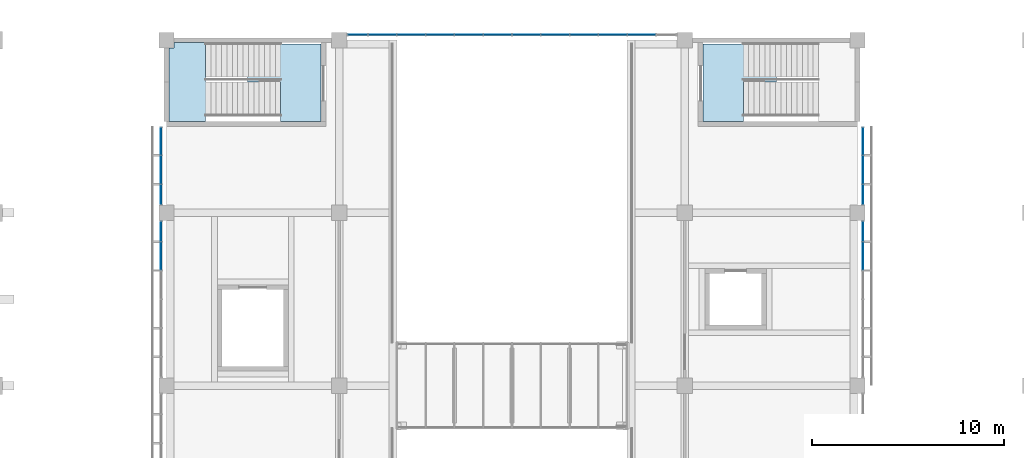
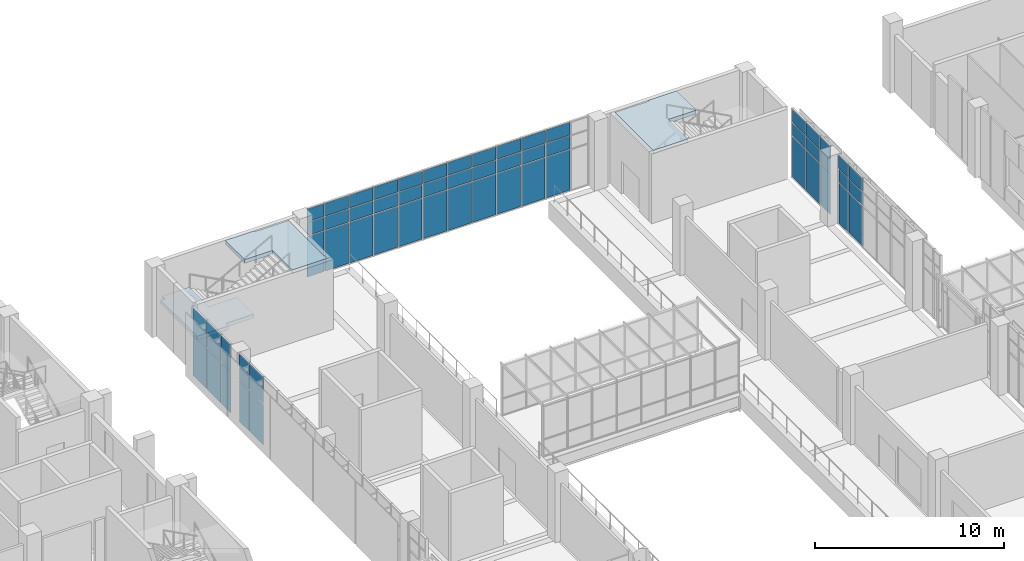
# One storey, part 49 of 88: 63 plates, 3 slabs, 7 elements without a shape of their own.
"""IFC4 building model written with IfcOpenShell, lengths in metres."""

import ifcopenshell
import ifcopenshell.guid

model = None  # the IFC model being written
_history = None  # IfcOwnerHistory: only IFC2X3 demands one
_inside = {}  # id of a spatial element -> (the spatial element, [elements in it])
_under = {}  # id of a project, library or spatial element -> (it, [spatial elements below it])
_declared = {}  # id of a project -> (the project, [libraries it declares])
_typed = {}  # id of a type object -> (the type object, [elements of that type])
_made_of = {}  # id of a material, layer set ... -> (it, [elements and type objects made of it])


def new_model(schema):
    """Start an empty IFC model of exactly this schema.

    Asked for "IFC4X3", IfcOpenShell would pick the latest addendum, in which some entities
    have other attributes; the version numbers below select the first issue.
    IFC2X3 requires an IfcOwnerHistory on every rooted entity: one is made here for all.
    """
    global model, _history
    if schema == "IFC4X3":
        model = ifcopenshell.file(schema_version=(4, 3, 0, 0))
    else:
        model = ifcopenshell.file(schema=schema)
    _inside.clear()
    _under.clear()
    _declared.clear()
    _typed.clear()
    _made_of.clear()
    _history = None
    if model.schema == "IFC2X3":
        org = make("IfcOrganization", Name="unknown")
        user = make(
            "IfcPersonAndOrganization",
            ThePerson=make("IfcPerson", FamilyName="unknown"),
            TheOrganization=org,
        )
        app = make(
            "IfcApplication",
            ApplicationDeveloper=org,
            Version="unknown",
            ApplicationFullName="unknown",
            ApplicationIdentifier="unknown",
        )
        _history = make(
            "IfcOwnerHistory",
            OwningUser=user,
            OwningApplication=app,
            ChangeAction="ADDED",
            CreationDate=0,
        )
    return model


def make(cls, **values):
    """One entity of the class cls with the attributes given. An attribute that is None is left unset."""
    return model.create_entity(
        cls, **{name: value for name, value in values.items() if value is not None}
    )


def rooted(cls, **values):
    """An entity with a GlobalId (a new one), such as an element, a storey or a relation."""
    return make(cls, GlobalId=ifcopenshell.guid.new(), OwnerHistory=_history, **values)


def si_unit(unit_type, name, prefix=None):
    """IfcSIUnit, for example si_unit("LENGTHUNIT", "METRE", prefix="MILLI")."""
    return make("IfcSIUnit", UnitType=unit_type, Prefix=prefix, Name=name)


def assignment(units):
    """IfcUnitAssignment: the units of a project."""
    return None if units is None else make("IfcUnitAssignment", Units=units)


def point(xyz):
    """IfcCartesianPoint."""
    return None if xyz is None else make("IfcCartesianPoint", Coordinates=xyz)


def direction(xyz):
    """IfcDirection."""
    return None if xyz is None else make("IfcDirection", DirectionRatios=xyz)


def frame(location, z_axis=None, x_axis=None):
    """IfcAxis2Placement3D, a coordinate frame: its origin and axes. An axis left out is left unset."""
    return make(
        "IfcAxis2Placement3D",
        Location=point(location),
        Axis=direction(z_axis),
        RefDirection=direction(x_axis),
    )


def frame_2d(location, x_axis=None):
    """IfcAxis2Placement2D, a coordinate frame in the plane: its origin and x axis."""
    return make(
        "IfcAxis2Placement2D", Location=point(location), RefDirection=direction(x_axis)
    )


def origin():
    """The frame at (0, 0, 0) with its axes left unset."""
    return frame((0.0, 0.0, 0.0))


def origin_2d():
    """The frame at (0, 0) in the plane with its x axis left unset."""
    return frame_2d((0.0, 0.0))


def place(relative_to, where):
    """IfcLocalPlacement: puts the frame where relative to a parent placement (None: the world)."""
    return make(
        "IfcLocalPlacement", PlacementRelTo=relative_to, RelativePlacement=where
    )


def context(
    kind, dimensions, precision=None, world=None, true_north=None, identifier=None
):
    """IfcGeometricRepresentationContext, for example the 3D "Model" context."""
    return make(
        "IfcGeometricRepresentationContext",
        ContextIdentifier=identifier,
        ContextType=kind,
        CoordinateSpaceDimension=dimensions,
        Precision=precision,
        WorldCoordinateSystem=world,
        TrueNorth=true_north,
    )


def subcontext(parent, identifier, kind, view, scale=None):
    """IfcGeometricRepresentationSubContext, for example "Body" below "Model"."""
    return make(
        "IfcGeometricRepresentationSubContext",
        ContextIdentifier=identifier,
        ContextType=kind,
        ParentContext=parent,
        TargetScale=scale,
        TargetView=view,
    )


def project(units=None, contexts=None):
    """IfcProject with its units and contexts."""
    return rooted(
        "IfcProject",
        Name="project",
        RepresentationContexts=contexts,
        UnitsInContext=assignment(units),
    )


def spatial(cls, under=None, at=None, **own):
    """A site, building, storey or space (cls), placed at a placement, below another one or the project."""
    s = rooted(cls, ObjectPlacement=at, **own)
    if under is not None:
        _under.setdefault(under.id(), (under, []))[1].append(s)
    return s


def polyline(points):
    """IfcPolyline through the points."""
    return make("IfcPolyline", Points=[point(p) for p in points])


def profile(cls, at=None, kind="AREA", **sizes):
    """A parametric profile (cls). Its sizes go by their IFC names, for example OverallWidth=200.0."""
    return make(cls, ProfileType=kind, Position=at, **sizes)


def rectangle(**sizes):
    """IfcRectangleProfileDef."""
    return profile("IfcRectangleProfileDef", **sizes)


def outline(outer, holes=None, kind="AREA"):
    """IfcArbitraryClosedProfileDef: a profile drawn as a closed curve; with holes, ...WithVoids."""
    if holes is None:
        return make("IfcArbitraryClosedProfileDef", ProfileType=kind, OuterCurve=outer)
    return make(
        "IfcArbitraryProfileDefWithVoids",
        ProfileType=kind,
        OuterCurve=outer,
        InnerCurves=holes,
    )


def extrude(swept, where, along, depth):
    """IfcExtrudedAreaSolid: the profile swept, set in the frame where, extruded along a direction by depth."""
    return make(
        "IfcExtrudedAreaSolid",
        SweptArea=swept,
        Position=where,
        ExtrudedDirection=direction(along),
        Depth=depth,
    )


def shape(context_of_items, identifier, shape_type, items):
    """IfcShapeRepresentation: the items that make up one representation, for example the "Body"."""
    return make(
        "IfcShapeRepresentation",
        ContextOfItems=context_of_items,
        RepresentationIdentifier=identifier,
        RepresentationType=shape_type,
        Items=items,
    )


def material(Name=None, Category=None):
    """IfcMaterial."""
    return make("IfcMaterial", Name=Name, Category=Category)


def layer(
    of_material, thickness, ventilated=None, Name=None, Category=None, Priority=None
):
    """IfcMaterialLayer: one layer of a wall or slab, of a material (None: an air gap)."""
    return make(
        "IfcMaterialLayer",
        Material=of_material,
        LayerThickness=thickness,
        IsVentilated=ventilated,
        Name=Name,
        Category=Category,
        Priority=Priority,
    )


def layer_set(layers, Name=None):
    """IfcMaterialLayerSet."""
    return make("IfcMaterialLayerSet", MaterialLayers=layers, LayerSetName=Name)


def made_of(thing, what):
    """Note that an element or type object is made of a material, layer set ...; save() writes the relation."""
    if what is not None:
        _made_of.setdefault(what.id(), (what, []))[1].append(thing)
    return thing


def type_object(cls, material=None, **own):
    """A type object (cls), such as IfcWallType, which elements share."""
    return made_of(rooted(cls, **own), material)


def element(
    cls,
    number,
    at=None,
    inside=None,
    cuts=None,
    type_object=None,
    material=None,
    context=None,
    identifier="Body",
    shape_type=None,
    held_by="IfcProductDefinitionShape",
    body=None,
    shapes=None,
    **own,
):
    """One element of the class cls, such as IfcWall. Its Tag is "e" and its number.

    at: its placement. inside: the storey or other place that contains it. cuts: it is an
    opening in that element (IfcRelVoidsElement). A single representation is given by context,
    identifier, shape_type and body (its items); several are given by shapes. held_by: the class
    of the entity that holds the representations. save() writes the other relations.
    """
    e = rooted(cls, Tag="e%d" % number, ObjectPlacement=at, **own)
    if body is not None:
        shapes = [shape(context, identifier, shape_type, body)]
    if shapes is not None:
        e.Representation = make(held_by, Representations=shapes)
    if inside is not None:
        _inside.setdefault(inside.id(), (inside, []))[1].append(e)
    if cuts is not None:
        rooted(
            "IfcRelVoidsElement", RelatingBuildingElement=cuts, RelatedOpeningElement=e
        )
    if type_object is not None:
        _typed.setdefault(type_object.id(), (type_object, []))[1].append(e)
    return made_of(e, material)


def aggregate(whole, parts):
    """IfcRelAggregates: a whole, such as a stair, and the parts it consists of."""
    return rooted("IfcRelAggregates", RelatingObject=whole, RelatedObjects=parts)


def save(model, path):
    """Write the relations noted so far, then the file.

    IfcRelAggregates (storeys below a building ...), IfcRelContainedInSpatialStructure (elements
    in a storey), IfcRelDefinesByType, IfcRelAssociatesMaterial and IfcRelDeclares: one each for
    every whole, place, type object, material and project.
    """
    for whole, parts in _under.values():
        aggregate(whole, parts)
    for where, things in _inside.values():
        rooted(
            "IfcRelContainedInSpatialStructure",
            RelatedElements=things,
            RelatingStructure=where,
        )
    for kind, things in _typed.values():
        rooted("IfcRelDefinesByType", RelatedObjects=things, RelatingType=kind)
    for what, things in _made_of.values():
        rooted("IfcRelAssociatesMaterial", RelatedObjects=things, RelatingMaterial=what)
    for by, libraries in _declared.values():
        rooted("IfcRelDeclares", RelatingContext=by, RelatedDefinitions=libraries)
    model.write(path)


model = new_model("IFC4")

# Units and contexts
model_context = context("Model", 3, precision=1e-05, world=origin(), true_north=direction((0.0, 1.0)))
body_context = subcontext(model_context, "Body", "Model", "MODEL_VIEW")
ifc_project = project(units=[si_unit("LENGTHUNIT", "METRE"), si_unit("AREAUNIT", "SQUARE_METRE"), si_unit("VOLUMEUNIT", "CUBIC_METRE"), si_unit("PLANEANGLEUNIT", "RADIAN"), si_unit("MASSUNIT", "GRAM", prefix="KILO")], contexts=[model_context])

# Site, building, storey
site_placement = place(None, origin())
site = spatial("IfcSite", under=ifc_project, at=site_placement, CompositionType="ELEMENT")
building_placement = place(site_placement, origin())
building = spatial("IfcBuilding", under=site, at=building_placement, Name="Guidao Yard Department Store", CompositionType="ELEMENT")
storey_placement = place(building_placement, frame((0.0, 0.0, 6.0)))
storey = spatial("IfcBuildingStorey", under=building, at=storey_placement, Name="L01", CompositionType="ELEMENT", Elevation=6.0)

# Curtain wall, plates
ifc_material_1 = material(Name="Aluminium and glass", Category="aluminium")
ifc_layer_1 = layer(ifc_material_1, 0.159912109375)
ifc_layer_set_1 = layer_set([ifc_layer_1], Name="Shopfront curtain wall CW1 1500 module")
curtain_wall_type = type_object("IfcCurtainWallType", Name="Shopfront curtain wall CW1 1500 module", PredefinedType="NOTDEFINED", material=ifc_layer_set_1)
curtain_wall_1_placement = place(storey_placement, origin())
curtain_wall_1 = element("IfcCurtainWall", 1, at=curtain_wall_1_placement, inside=storey, type_object=curtain_wall_type, Name="Arcade shop front", PredefinedType="NOTDEFINED")
ifc_material_2 = material(Name="Aluminium 6063-T5 faced insulated spandrel", Category="aluminium")
ifc_layer_2 = layer(ifc_material_2, 0.06005859375)
ifc_layer_set_2 = layer_set([ifc_layer_2], Name="Spandrel panel SP1 insulated opaque")
plate_type_1 = type_object("IfcPlateType", Name="Spandrel panel SP1 insulated opaque", PredefinedType="CURTAIN_PANEL", material=ifc_layer_set_2)
plate_1_placement = place(storey_placement, frame((71.719970703125, 96.75, 3.6298828125), z_axis=(0.0, 0.0, 1.0), x_axis=(0.0, 1.0, 0.0)))
plate_1 = element("IfcPlate", 2, at=plate_1_placement, type_object=plate_type_1, Name="CW-AS-L01-10 panel 5.3", PredefinedType="CURTAIN_PANEL", context=body_context, shape_type="SweptSolid", body=[
    extrude(rectangle(XDim=1.43994140625, YDim=0.06005859375, at=origin_2d()), origin(), (0.0, 0.0, 1.0), 0.81005859375),
])
plate_2_placement = place(storey_placement, frame((71.719970703125, 98.034912109375, 3.6298828125), z_axis=(0.0, 0.0, 1.0), x_axis=(0.0, 1.0, 0.0)))
plate_2 = element("IfcPlate", 3, at=plate_2_placement, type_object=plate_type_1, Name="CW-AS-L01-10 panel 6.3", PredefinedType="CURTAIN_PANEL", context=body_context, shape_type="SweptSolid", body=[
    extrude(rectangle(XDim=1.010009765625, YDim=0.06005859375, at=origin_2d()), origin(), (0.0, 0.0, 1.0), 0.81005859375),
])

curtain_wall_2_placement = place(storey_placement, origin())
curtain_wall_2 = element("IfcCurtainWall", 4, at=curtain_wall_2_placement, inside=storey, type_object=curtain_wall_type, Name="Arcade shop front", PredefinedType="NOTDEFINED")
plate_3_placement = place(storey_placement, frame((71.719970703125, 99.965087890625, 3.6298828125), z_axis=(0.0, 0.0, 1.0), x_axis=(0.0, 1.0, 0.0)))
plate_3 = element("IfcPlate", 5, at=plate_3_placement, type_object=plate_type_1, Name="CW-AS-L01-11 panel 1.3", PredefinedType="CURTAIN_PANEL", context=body_context, shape_type="SweptSolid", body=[
    extrude(rectangle(XDim=1.010009765625, YDim=0.06005859375, at=origin_2d()), origin(), (0.0, 0.0, 1.0), 0.81005859375),
])
plate_4_placement = place(storey_placement, frame((71.719970703125, 101.25, 3.6298828125), z_axis=(0.0, 0.0, 1.0), x_axis=(0.0, 1.0, 0.0)))
plate_4 = element("IfcPlate", 6, at=plate_4_placement, type_object=plate_type_1, Name="CW-AS-L01-11 panel 2.3", PredefinedType="CURTAIN_PANEL", context=body_context, shape_type="SweptSolid", body=[
    extrude(rectangle(XDim=1.43994140625, YDim=0.06005859375, at=origin_2d()), origin(), (0.0, 0.0, 1.0), 0.81005859375),
])
plate_5_placement = place(storey_placement, frame((71.719970703125, 102.735107421875, 3.6298828125), z_axis=(0.0, 0.0, 1.0), x_axis=(0.0, 1.0, 0.0)))
plate_5 = element("IfcPlate", 7, at=plate_5_placement, type_object=plate_type_1, Name="CW-AS-L01-11 panel 3.3", PredefinedType="CURTAIN_PANEL", context=body_context, shape_type="SweptSolid", body=[
    extrude(rectangle(XDim=1.409912109375, YDim=0.06005859375, at=origin_2d()), origin(), (0.0, 0.0, 1.0), 0.81005859375),
])

curtain_wall_3_placement = place(storey_placement, origin())
curtain_wall_3 = element("IfcCurtainWall", 8, at=curtain_wall_3_placement, inside=storey, type_object=curtain_wall_type, Name="Arcade shop front", PredefinedType="NOTDEFINED")
plate_6_placement = place(storey_placement, frame((108.280029296875, 96.75, 3.6298828125), z_axis=(0.0, 0.0, 1.0), x_axis=(0.0, -1.0, 0.0)))
plate_6 = element("IfcPlate", 9, at=plate_6_placement, type_object=plate_type_1, Name="CW-AS-L01-21 panel 5.3", PredefinedType="CURTAIN_PANEL", context=body_context, shape_type="SweptSolid", body=[
    extrude(rectangle(XDim=1.43994140625, YDim=0.06005859375, at=origin_2d()), origin(), (0.0, 0.0, 1.0), 0.81005859375),
])
plate_7_placement = place(storey_placement, frame((108.280029296875, 98.034912109375, 3.6298828125), z_axis=(0.0, 0.0, 1.0), x_axis=(0.0, -1.0, 0.0)))
plate_7 = element("IfcPlate", 10, at=plate_7_placement, type_object=plate_type_1, Name="CW-AS-L01-21 panel 6.3", PredefinedType="CURTAIN_PANEL", context=body_context, shape_type="SweptSolid", body=[
    extrude(rectangle(XDim=1.010009765625, YDim=0.06005859375, at=origin_2d()), origin(), (0.0, 0.0, 1.0), 0.81005859375),
])

curtain_wall_4_placement = place(storey_placement, origin())
curtain_wall_4 = element("IfcCurtainWall", 11, at=curtain_wall_4_placement, inside=storey, type_object=curtain_wall_type, Name="Arcade shop front", PredefinedType="NOTDEFINED")
plate_8_placement = place(storey_placement, frame((108.280029296875, 99.965087890625, 3.6298828125), z_axis=(0.0, 0.0, 1.0), x_axis=(0.0, -1.0, 0.0)))
plate_8 = element("IfcPlate", 12, at=plate_8_placement, type_object=plate_type_1, Name="CW-AS-L01-22 panel 1.3", PredefinedType="CURTAIN_PANEL", context=body_context, shape_type="SweptSolid", body=[
    extrude(rectangle(XDim=1.010009765625, YDim=0.06005859375, at=origin_2d()), origin(), (0.0, 0.0, 1.0), 0.81005859375),
])
plate_9_placement = place(storey_placement, frame((108.280029296875, 101.25, 3.6298828125), z_axis=(0.0, 0.0, 1.0), x_axis=(0.0, -1.0, 0.0)))
plate_9 = element("IfcPlate", 13, at=plate_9_placement, type_object=plate_type_1, Name="CW-AS-L01-22 panel 2.3", PredefinedType="CURTAIN_PANEL", context=body_context, shape_type="SweptSolid", body=[
    extrude(rectangle(XDim=1.43994140625, YDim=0.06005859375, at=origin_2d()), origin(), (0.0, 0.0, 1.0), 0.81005859375),
])
plate_10_placement = place(storey_placement, frame((108.280029296875, 102.735107421875, 3.6298828125), z_axis=(0.0, 0.0, 1.0), x_axis=(0.0, -1.0, 0.0)))
plate_10 = element("IfcPlate", 14, at=plate_10_placement, type_object=plate_type_1, Name="CW-AS-L01-22 panel 3.3", PredefinedType="CURTAIN_PANEL", context=body_context, shape_type="SweptSolid", body=[
    extrude(rectangle(XDim=1.409912109375, YDim=0.06005859375, at=origin_2d()), origin(), (0.0, 0.0, 1.0), 0.81005859375),
])

curtain_wall_5_placement = place(storey_placement, origin())
curtain_wall_5 = element("IfcCurtainWall", 15, at=curtain_wall_5_placement, inside=storey, type_object=curtain_wall_type, Name="Arcade gable glazing", PredefinedType="NOTDEFINED")
plate_11_placement = place(storey_placement, frame((81.965087890625, 108.280029296875, 3.6298828125), z_axis=(0.0, 0.0, 1.0), x_axis=(1.0, 0.0, 0.0)))
plate_11 = element("IfcPlate", 16, at=plate_11_placement, type_object=plate_type_1, Name="CW-AG-L01-01 panel 1.3", PredefinedType="CURTAIN_PANEL", context=body_context, shape_type="SweptSolid", body=[
    extrude(rectangle(XDim=1.010009765625, YDim=0.06005859375, at=origin_2d()), origin(), (0.0, 0.0, 1.0), 0.81005859375),
])
plate_12_placement = place(storey_placement, frame((83.25, 108.280029296875, 3.6298828125), z_axis=(0.0, 0.0, 1.0), x_axis=(1.0, 0.0, 0.0)))
plate_12 = element("IfcPlate", 17, at=plate_12_placement, type_object=plate_type_1, Name="CW-AG-L01-01 panel 2.3", PredefinedType="CURTAIN_PANEL", context=body_context, shape_type="SweptSolid", body=[
    extrude(rectangle(XDim=1.43994140625, YDim=0.06005859375, at=origin_2d()), origin(), (0.0, 0.0, 1.0), 0.81005859375),
])
plate_13_placement = place(storey_placement, frame((84.75, 108.280029296875, 3.6298828125), z_axis=(0.0, 0.0, 1.0), x_axis=(1.0, 0.0, 0.0)))
plate_13 = element("IfcPlate", 18, at=plate_13_placement, type_object=plate_type_1, Name="CW-AG-L01-01 panel 3.3", PredefinedType="CURTAIN_PANEL", context=body_context, shape_type="SweptSolid", body=[
    extrude(rectangle(XDim=1.43994140625, YDim=0.06005859375, at=origin_2d()), origin(), (0.0, 0.0, 1.0), 0.81005859375),
])
plate_14_placement = place(storey_placement, frame((86.25, 108.280029296875, 3.6298828125), z_axis=(0.0, 0.0, 1.0), x_axis=(1.0, 0.0, 0.0)))
plate_14 = element("IfcPlate", 19, at=plate_14_placement, type_object=plate_type_1, Name="CW-AG-L01-01 panel 4.3", PredefinedType="CURTAIN_PANEL", context=body_context, shape_type="SweptSolid", body=[
    extrude(rectangle(XDim=1.43994140625, YDim=0.06005859375, at=origin_2d()), origin(), (0.0, 0.0, 1.0), 0.81005859375),
])
plate_15_placement = place(storey_placement, frame((87.75, 108.280029296875, 3.6298828125), z_axis=(0.0, 0.0, 1.0), x_axis=(1.0, 0.0, 0.0)))
plate_15 = element("IfcPlate", 20, at=plate_15_placement, type_object=plate_type_1, Name="CW-AG-L01-01 panel 5.3", PredefinedType="CURTAIN_PANEL", context=body_context, shape_type="SweptSolid", body=[
    extrude(rectangle(XDim=1.43994140625, YDim=0.06005859375, at=origin_2d()), origin(), (0.0, 0.0, 1.0), 0.81005859375),
])
plate_16_placement = place(storey_placement, frame((89.25, 108.280029296875, 3.6298828125), z_axis=(0.0, 0.0, 1.0), x_axis=(1.0, 0.0, 0.0)))
plate_16 = element("IfcPlate", 21, at=plate_16_placement, type_object=plate_type_1, Name="CW-AG-L01-01 panel 6.3", PredefinedType="CURTAIN_PANEL", context=body_context, shape_type="SweptSolid", body=[
    extrude(rectangle(XDim=1.43994140625, YDim=0.06005859375, at=origin_2d()), origin(), (0.0, 0.0, 1.0), 0.81005859375),
])
plate_17_placement = place(storey_placement, frame((90.75, 108.280029296875, 3.6298828125), z_axis=(0.0, 0.0, 1.0), x_axis=(1.0, 0.0, 0.0)))
plate_17 = element("IfcPlate", 22, at=plate_17_placement, type_object=plate_type_1, Name="CW-AG-L01-01 panel 7.3", PredefinedType="CURTAIN_PANEL", context=body_context, shape_type="SweptSolid", body=[
    extrude(rectangle(XDim=1.43994140625, YDim=0.06005859375, at=origin_2d()), origin(), (0.0, 0.0, 1.0), 0.81005859375),
])
plate_18_placement = place(storey_placement, frame((92.25, 108.280029296875, 3.6298828125), z_axis=(0.0, 0.0, 1.0), x_axis=(1.0, 0.0, 0.0)))
plate_18 = element("IfcPlate", 23, at=plate_18_placement, type_object=plate_type_1, Name="CW-AG-L01-01 panel 8.3", PredefinedType="CURTAIN_PANEL", context=body_context, shape_type="SweptSolid", body=[
    extrude(rectangle(XDim=1.43994140625, YDim=0.06005859375, at=origin_2d()), origin(), (0.0, 0.0, 1.0), 0.81005859375),
])
plate_19_placement = place(storey_placement, frame((93.75, 108.280029296875, 3.6298828125), z_axis=(0.0, 0.0, 1.0), x_axis=(1.0, 0.0, 0.0)))
plate_19 = element("IfcPlate", 24, at=plate_19_placement, type_object=plate_type_1, Name="CW-AG-L01-01 panel 9.3", PredefinedType="CURTAIN_PANEL", context=body_context, shape_type="SweptSolid", body=[
    extrude(rectangle(XDim=1.43994140625, YDim=0.06005859375, at=origin_2d()), origin(), (0.0, 0.0, 1.0), 0.81005859375),
])
plate_20_placement = place(storey_placement, frame((95.25, 108.280029296875, 3.6298828125), z_axis=(0.0, 0.0, 1.0), x_axis=(1.0, 0.0, 0.0)))
plate_20 = element("IfcPlate", 25, at=plate_20_placement, type_object=plate_type_1, Name="CW-AG-L01-01 panel 10.3", PredefinedType="CURTAIN_PANEL", context=body_context, shape_type="SweptSolid", body=[
    extrude(rectangle(XDim=1.43994140625, YDim=0.06005859375, at=origin_2d()), origin(), (0.0, 0.0, 1.0), 0.81005859375),
])
plate_21_placement = place(storey_placement, frame((96.75, 108.280029296875, 3.6298828125), z_axis=(0.0, 0.0, 1.0), x_axis=(1.0, 0.0, 0.0)))
plate_21 = element("IfcPlate", 26, at=plate_21_placement, type_object=plate_type_1, Name="CW-AG-L01-01 panel 11.3", PredefinedType="CURTAIN_PANEL", context=body_context, shape_type="SweptSolid", body=[
    extrude(rectangle(XDim=1.43994140625, YDim=0.06005859375, at=origin_2d()), origin(), (0.0, 0.0, 1.0), 0.81005859375),
])

# Stair, slabs
ifc_material_3 = material(Name="Concrete C35", Category="concrete")
stair_type = type_object("IfcStairType", Name="Stair half-turn two-flight 1800 wide 4.5 m rise", PredefinedType="HALF_TURN_STAIR", material=ifc_material_3)
stair_1_placement = place(storey_placement, origin())
stair_1 = element("IfcStair", 27, at=stair_1_placement, inside=storey, type_object=stair_type, Name="Stair G2 L01 to L02", PredefinedType="HALF_TURN_STAIR")
ifc_material_4 = material(Name="Concrete C35", Category="concrete")
ifc_layer_3 = layer(ifc_material_4, 0.25)
ifc_layer_set_3 = layer_set([ifc_layer_3], Name="Stair landing RC 250 C35")
slab_type = type_object("IfcSlabType", Name="Stair landing RC 250 C35", PredefinedType="LANDING", material=ifc_layer_set_3)
slab_1_placement = place(storey_placement, frame((0.0, 0.0, 2.0)))
slab_1 = element("IfcSlab", 28, at=slab_1_placement, type_object=slab_type, Name="SG2-L01 landing 1", PredefinedType="LANDING", context=body_context, shape_type="SweptSolid", body=[
    extrude(outline(polyline([(75.748046875, 104.02490234375), (74.030029296875, 104.02490234375), (74.030029296875, 103.75), (72.125, 103.75), (72.125, 107.60009765625), (72.39990234375, 107.60009765625), (72.39990234375, 107.875), (74.030029296875, 107.875), (74.0400390625, 107.875), (74.0400390625, 105.824951171875), (75.748046875, 105.824951171875), (75.748046875, 104.02490234375)])), origin(), (0.0, 0.0, 1.0), 0.25),
])
slab_2_placement = place(storey_placement, frame((0.0, 0.0, 4.25)))
slab_2 = element("IfcSlab", 29, at=slab_2_placement, type_object=slab_type, Name="SG2-L01 landing 2", PredefinedType="LANDING", context=body_context, shape_type="SweptSolid", body=[
    extrude(outline(polyline([(77.93994140625, 103.75), (77.93994140625, 105.824951171875), (76.23193359375, 105.824951171875), (76.23193359375, 107.875), (77.949951171875, 107.875), (77.949951171875, 107.800048828125), (80.050048828125, 107.800048828125), (80.050048828125, 105.824951171875), (80.050048828125, 103.75), (77.93994140625, 103.75)])), origin(), (0.0, 0.0, 1.0), 0.25),
])
aggregate(stair_1, [slab_1, slab_2])

# Stair, slab
stair_2_placement = place(storey_placement, origin())
stair_2 = element("IfcStair", 30, at=stair_2_placement, inside=storey, type_object=stair_type, Name="Stair G4 L01 to L02", PredefinedType="HALF_TURN_STAIR")
slab_3_placement = place(storey_placement, frame((0.0, 0.0, 4.25)))
slab_3 = element("IfcSlab", 31, at=slab_3_placement, type_object=slab_type, Name="SG4-L01 landing 2", PredefinedType="LANDING", context=body_context, shape_type="SweptSolid", body=[
    extrude(outline(polyline([(99.949951171875, 103.75), (99.949951171875, 105.824951171875), (99.949951171875, 107.800048828125), (102.050048828125, 107.800048828125), (102.050048828125, 107.875), (103.76806640625, 107.875), (103.76806640625, 105.824951171875), (102.06005859375, 105.824951171875), (102.06005859375, 103.75), (99.949951171875, 103.75)])), origin(), (0.0, 0.0, 1.0), 0.25),
])
aggregate(stair_2, [slab_3])

# Plate
ifc_material_5 = material(Name="Laminated heat-soaked tempered glass", Category="glass")
ifc_layer_4 = layer(ifc_material_5, 0.017578125)
ifc_layer_set_4 = layer_set([ifc_layer_4], Name="Vision glass VG1 laminated heat-soaked tempered 8+8")
plate_type_2 = type_object("IfcPlateType", Name="Vision glass VG1 laminated heat-soaked tempered 8+8", PredefinedType="CURTAIN_PANEL", material=ifc_layer_set_4)
plate_22_placement = place(storey_placement, frame((71.719970703125, 96.75, 0.06005859375), z_axis=(0.0, 0.0, 1.0), x_axis=(0.0, 1.0, 0.0)))
plate_22 = element("IfcPlate", 32, at=plate_22_placement, type_object=plate_type_2, Name="CW-AS-L01-10 panel 5.1", PredefinedType="CURTAIN_PANEL", context=body_context, shape_type="SweptSolid", body=[
    extrude(rectangle(XDim=1.43994140625, YDim=0.017578125, at=origin_2d()), origin(), (0.0, 0.0, 1.0), 2.610107421875),
])

plate_23_placement = place(storey_placement, frame((71.719970703125, 96.75, 2.72998046875), z_axis=(0.0, 0.0, 1.0), x_axis=(0.0, 1.0, 0.0)))
plate_23 = element("IfcPlate", 33, at=plate_23_placement, type_object=plate_type_2, Name="CW-AS-L01-10 panel 5.2", PredefinedType="CURTAIN_PANEL", context=body_context, shape_type="SweptSolid", body=[
    extrude(rectangle(XDim=1.43994140625, YDim=0.017578125, at=origin_2d()), origin(), (0.0, 0.0, 1.0), 0.840087890625),
])

plate_24_placement = place(storey_placement, frame((71.719970703125, 98.034912109375, 0.06005859375), z_axis=(0.0, 0.0, 1.0), x_axis=(0.0, 1.0, 0.0)))
plate_24 = element("IfcPlate", 34, at=plate_24_placement, type_object=plate_type_2, Name="CW-AS-L01-10 panel 6.1", PredefinedType="CURTAIN_PANEL", context=body_context, shape_type="SweptSolid", body=[
    extrude(rectangle(XDim=1.010009765625, YDim=0.017578125, at=origin_2d()), origin(), (0.0, 0.0, 1.0), 2.610107421875),
])

plate_25_placement = place(storey_placement, frame((71.719970703125, 98.034912109375, 2.72998046875), z_axis=(0.0, 0.0, 1.0), x_axis=(0.0, 1.0, 0.0)))
plate_25 = element("IfcPlate", 35, at=plate_25_placement, type_object=plate_type_2, Name="CW-AS-L01-10 panel 6.2", PredefinedType="CURTAIN_PANEL", context=body_context, shape_type="SweptSolid", body=[
    extrude(rectangle(XDim=1.010009765625, YDim=0.017578125, at=origin_2d()), origin(), (0.0, 0.0, 1.0), 0.840087890625),
])

aggregate(curtain_wall_1, [plate_22, plate_23, plate_1, plate_24, plate_25, plate_2])

plate_26_placement = place(storey_placement, frame((71.719970703125, 99.965087890625, 0.06005859375), z_axis=(0.0, 0.0, 1.0), x_axis=(0.0, 1.0, 0.0)))
plate_26 = element("IfcPlate", 36, at=plate_26_placement, type_object=plate_type_2, Name="CW-AS-L01-11 panel 1.1", PredefinedType="CURTAIN_PANEL", context=body_context, shape_type="SweptSolid", body=[
    extrude(rectangle(XDim=1.010009765625, YDim=0.017578125, at=origin_2d()), origin(), (0.0, 0.0, 1.0), 2.610107421875),
])

plate_27_placement = place(storey_placement, frame((71.719970703125, 99.965087890625, 2.72998046875), z_axis=(0.0, 0.0, 1.0), x_axis=(0.0, 1.0, 0.0)))
plate_27 = element("IfcPlate", 37, at=plate_27_placement, type_object=plate_type_2, Name="CW-AS-L01-11 panel 1.2", PredefinedType="CURTAIN_PANEL", context=body_context, shape_type="SweptSolid", body=[
    extrude(rectangle(XDim=1.010009765625, YDim=0.017578125, at=origin_2d()), origin(), (0.0, 0.0, 1.0), 0.840087890625),
])

plate_28_placement = place(storey_placement, frame((71.719970703125, 101.25, 0.06005859375), z_axis=(0.0, 0.0, 1.0), x_axis=(0.0, 1.0, 0.0)))
plate_28 = element("IfcPlate", 38, at=plate_28_placement, type_object=plate_type_2, Name="CW-AS-L01-11 panel 2.1", PredefinedType="CURTAIN_PANEL", context=body_context, shape_type="SweptSolid", body=[
    extrude(rectangle(XDim=1.43994140625, YDim=0.017578125, at=origin_2d()), origin(), (0.0, 0.0, 1.0), 2.610107421875),
])

plate_29_placement = place(storey_placement, frame((71.719970703125, 101.25, 2.72998046875), z_axis=(0.0, 0.0, 1.0), x_axis=(0.0, 1.0, 0.0)))
plate_29 = element("IfcPlate", 39, at=plate_29_placement, type_object=plate_type_2, Name="CW-AS-L01-11 panel 2.2", PredefinedType="CURTAIN_PANEL", context=body_context, shape_type="SweptSolid", body=[
    extrude(rectangle(XDim=1.43994140625, YDim=0.017578125, at=origin_2d()), origin(), (0.0, 0.0, 1.0), 0.840087890625),
])

plate_30_placement = place(storey_placement, frame((71.719970703125, 102.735107421875, 0.06005859375), z_axis=(0.0, 0.0, 1.0), x_axis=(0.0, 1.0, 0.0)))
plate_30 = element("IfcPlate", 40, at=plate_30_placement, type_object=plate_type_2, Name="CW-AS-L01-11 panel 3.1", PredefinedType="CURTAIN_PANEL", context=body_context, shape_type="SweptSolid", body=[
    extrude(rectangle(XDim=1.409912109375, YDim=0.017578125, at=origin_2d()), origin(), (0.0, 0.0, 1.0), 2.610107421875),
])

plate_31_placement = place(storey_placement, frame((71.719970703125, 102.735107421875, 2.72998046875), z_axis=(0.0, 0.0, 1.0), x_axis=(0.0, 1.0, 0.0)))
plate_31 = element("IfcPlate", 41, at=plate_31_placement, type_object=plate_type_2, Name="CW-AS-L01-11 panel 3.2", PredefinedType="CURTAIN_PANEL", context=body_context, shape_type="SweptSolid", body=[
    extrude(rectangle(XDim=1.409912109375, YDim=0.017578125, at=origin_2d()), origin(), (0.0, 0.0, 1.0), 0.840087890625),
])

aggregate(curtain_wall_2, [plate_26, plate_27, plate_3, plate_28, plate_29, plate_4, plate_30, plate_31, plate_5])

plate_32_placement = place(storey_placement, frame((108.280029296875, 96.75, 0.06005859375), z_axis=(0.0, 0.0, 1.0), x_axis=(0.0, -1.0, 0.0)))
plate_32 = element("IfcPlate", 42, at=plate_32_placement, type_object=plate_type_2, Name="CW-AS-L01-21 panel 5.1", PredefinedType="CURTAIN_PANEL", context=body_context, shape_type="SweptSolid", body=[
    extrude(rectangle(XDim=1.43994140625, YDim=0.017578125, at=origin_2d()), origin(), (0.0, 0.0, 1.0), 2.610107421875),
])

plate_33_placement = place(storey_placement, frame((108.280029296875, 96.75, 2.72998046875), z_axis=(0.0, 0.0, 1.0), x_axis=(0.0, -1.0, 0.0)))
plate_33 = element("IfcPlate", 43, at=plate_33_placement, type_object=plate_type_2, Name="CW-AS-L01-21 panel 5.2", PredefinedType="CURTAIN_PANEL", context=body_context, shape_type="SweptSolid", body=[
    extrude(rectangle(XDim=1.43994140625, YDim=0.017578125, at=origin_2d()), origin(), (0.0, 0.0, 1.0), 0.840087890625),
])

plate_34_placement = place(storey_placement, frame((108.280029296875, 98.034912109375, 0.06005859375), z_axis=(0.0, 0.0, 1.0), x_axis=(0.0, -1.0, 0.0)))
plate_34 = element("IfcPlate", 44, at=plate_34_placement, type_object=plate_type_2, Name="CW-AS-L01-21 panel 6.1", PredefinedType="CURTAIN_PANEL", context=body_context, shape_type="SweptSolid", body=[
    extrude(rectangle(XDim=1.010009765625, YDim=0.017578125, at=origin_2d()), origin(), (0.0, 0.0, 1.0), 2.610107421875),
])

plate_35_placement = place(storey_placement, frame((108.280029296875, 98.034912109375, 2.72998046875), z_axis=(0.0, 0.0, 1.0), x_axis=(0.0, -1.0, 0.0)))
plate_35 = element("IfcPlate", 45, at=plate_35_placement, type_object=plate_type_2, Name="CW-AS-L01-21 panel 6.2", PredefinedType="CURTAIN_PANEL", context=body_context, shape_type="SweptSolid", body=[
    extrude(rectangle(XDim=1.010009765625, YDim=0.017578125, at=origin_2d()), origin(), (0.0, 0.0, 1.0), 0.840087890625),
])

aggregate(curtain_wall_3, [plate_32, plate_33, plate_6, plate_34, plate_35, plate_7])

plate_36_placement = place(storey_placement, frame((108.280029296875, 99.965087890625, 0.06005859375), z_axis=(0.0, 0.0, 1.0), x_axis=(0.0, -1.0, 0.0)))
plate_36 = element("IfcPlate", 46, at=plate_36_placement, type_object=plate_type_2, Name="CW-AS-L01-22 panel 1.1", PredefinedType="CURTAIN_PANEL", context=body_context, shape_type="SweptSolid", body=[
    extrude(rectangle(XDim=1.010009765625, YDim=0.017578125, at=origin_2d()), origin(), (0.0, 0.0, 1.0), 2.610107421875),
])

plate_37_placement = place(storey_placement, frame((108.280029296875, 99.965087890625, 2.72998046875), z_axis=(0.0, 0.0, 1.0), x_axis=(0.0, -1.0, 0.0)))
plate_37 = element("IfcPlate", 47, at=plate_37_placement, type_object=plate_type_2, Name="CW-AS-L01-22 panel 1.2", PredefinedType="CURTAIN_PANEL", context=body_context, shape_type="SweptSolid", body=[
    extrude(rectangle(XDim=1.010009765625, YDim=0.017578125, at=origin_2d()), origin(), (0.0, 0.0, 1.0), 0.840087890625),
])

plate_38_placement = place(storey_placement, frame((108.280029296875, 101.25, 0.06005859375), z_axis=(0.0, 0.0, 1.0), x_axis=(0.0, -1.0, 0.0)))
plate_38 = element("IfcPlate", 48, at=plate_38_placement, type_object=plate_type_2, Name="CW-AS-L01-22 panel 2.1", PredefinedType="CURTAIN_PANEL", context=body_context, shape_type="SweptSolid", body=[
    extrude(rectangle(XDim=1.43994140625, YDim=0.017578125, at=origin_2d()), origin(), (0.0, 0.0, 1.0), 2.610107421875),
])

plate_39_placement = place(storey_placement, frame((108.280029296875, 101.25, 2.72998046875), z_axis=(0.0, 0.0, 1.0), x_axis=(0.0, -1.0, 0.0)))
plate_39 = element("IfcPlate", 49, at=plate_39_placement, type_object=plate_type_2, Name="CW-AS-L01-22 panel 2.2", PredefinedType="CURTAIN_PANEL", context=body_context, shape_type="SweptSolid", body=[
    extrude(rectangle(XDim=1.43994140625, YDim=0.017578125, at=origin_2d()), origin(), (0.0, 0.0, 1.0), 0.840087890625),
])

plate_40_placement = place(storey_placement, frame((108.280029296875, 102.735107421875, 0.06005859375), z_axis=(0.0, 0.0, 1.0), x_axis=(0.0, -1.0, 0.0)))
plate_40 = element("IfcPlate", 50, at=plate_40_placement, type_object=plate_type_2, Name="CW-AS-L01-22 panel 3.1", PredefinedType="CURTAIN_PANEL", context=body_context, shape_type="SweptSolid", body=[
    extrude(rectangle(XDim=1.409912109375, YDim=0.017578125, at=origin_2d()), origin(), (0.0, 0.0, 1.0), 2.610107421875),
])

plate_41_placement = place(storey_placement, frame((108.280029296875, 102.735107421875, 2.72998046875), z_axis=(0.0, 0.0, 1.0), x_axis=(0.0, -1.0, 0.0)))
plate_41 = element("IfcPlate", 51, at=plate_41_placement, type_object=plate_type_2, Name="CW-AS-L01-22 panel 3.2", PredefinedType="CURTAIN_PANEL", context=body_context, shape_type="SweptSolid", body=[
    extrude(rectangle(XDim=1.409912109375, YDim=0.017578125, at=origin_2d()), origin(), (0.0, 0.0, 1.0), 0.840087890625),
])

aggregate(curtain_wall_4, [plate_36, plate_37, plate_8, plate_38, plate_39, plate_9, plate_40, plate_41, plate_10])

plate_42_placement = place(storey_placement, frame((81.965087890625, 108.280029296875, 0.06005859375), z_axis=(0.0, 0.0, 1.0), x_axis=(1.0, 0.0, 0.0)))
plate_42 = element("IfcPlate", 52, at=plate_42_placement, type_object=plate_type_2, Name="CW-AG-L01-01 panel 1.1", PredefinedType="CURTAIN_PANEL", context=body_context, shape_type="SweptSolid", body=[
    extrude(rectangle(XDim=1.010009765625, YDim=0.017578125, at=origin_2d()), origin(), (0.0, 0.0, 1.0), 2.610107421875),
])

plate_43_placement = place(storey_placement, frame((81.965087890625, 108.280029296875, 2.72998046875), z_axis=(0.0, 0.0, 1.0), x_axis=(1.0, 0.0, 0.0)))
plate_43 = element("IfcPlate", 53, at=plate_43_placement, type_object=plate_type_2, Name="CW-AG-L01-01 panel 1.2", PredefinedType="CURTAIN_PANEL", context=body_context, shape_type="SweptSolid", body=[
    extrude(rectangle(XDim=1.010009765625, YDim=0.017578125, at=origin_2d()), origin(), (0.0, 0.0, 1.0), 0.840087890625),
])

plate_44_placement = place(storey_placement, frame((83.25, 108.280029296875, 0.06005859375), z_axis=(0.0, 0.0, 1.0), x_axis=(1.0, 0.0, 0.0)))
plate_44 = element("IfcPlate", 54, at=plate_44_placement, type_object=plate_type_2, Name="CW-AG-L01-01 panel 2.1", PredefinedType="CURTAIN_PANEL", context=body_context, shape_type="SweptSolid", body=[
    extrude(rectangle(XDim=1.43994140625, YDim=0.017578125, at=origin_2d()), origin(), (0.0, 0.0, 1.0), 2.610107421875),
])

plate_45_placement = place(storey_placement, frame((83.25, 108.280029296875, 2.72998046875), z_axis=(0.0, 0.0, 1.0), x_axis=(1.0, 0.0, 0.0)))
plate_45 = element("IfcPlate", 55, at=plate_45_placement, type_object=plate_type_2, Name="CW-AG-L01-01 panel 2.2", PredefinedType="CURTAIN_PANEL", context=body_context, shape_type="SweptSolid", body=[
    extrude(rectangle(XDim=1.43994140625, YDim=0.017578125, at=origin_2d()), origin(), (0.0, 0.0, 1.0), 0.840087890625),
])

plate_46_placement = place(storey_placement, frame((84.75, 108.280029296875, 0.06005859375), z_axis=(0.0, 0.0, 1.0), x_axis=(1.0, 0.0, 0.0)))
plate_46 = element("IfcPlate", 56, at=plate_46_placement, type_object=plate_type_2, Name="CW-AG-L01-01 panel 3.1", PredefinedType="CURTAIN_PANEL", context=body_context, shape_type="SweptSolid", body=[
    extrude(rectangle(XDim=1.43994140625, YDim=0.017578125, at=origin_2d()), origin(), (0.0, 0.0, 1.0), 2.610107421875),
])

plate_47_placement = place(storey_placement, frame((84.75, 108.280029296875, 2.72998046875), z_axis=(0.0, 0.0, 1.0), x_axis=(1.0, 0.0, 0.0)))
plate_47 = element("IfcPlate", 57, at=plate_47_placement, type_object=plate_type_2, Name="CW-AG-L01-01 panel 3.2", PredefinedType="CURTAIN_PANEL", context=body_context, shape_type="SweptSolid", body=[
    extrude(rectangle(XDim=1.43994140625, YDim=0.017578125, at=origin_2d()), origin(), (0.0, 0.0, 1.0), 0.840087890625),
])

plate_48_placement = place(storey_placement, frame((86.25, 108.280029296875, 0.06005859375), z_axis=(0.0, 0.0, 1.0), x_axis=(1.0, 0.0, 0.0)))
plate_48 = element("IfcPlate", 58, at=plate_48_placement, type_object=plate_type_2, Name="CW-AG-L01-01 panel 4.1", PredefinedType="CURTAIN_PANEL", context=body_context, shape_type="SweptSolid", body=[
    extrude(rectangle(XDim=1.43994140625, YDim=0.017578125, at=origin_2d()), origin(), (0.0, 0.0, 1.0), 2.610107421875),
])

plate_49_placement = place(storey_placement, frame((86.25, 108.280029296875, 2.72998046875), z_axis=(0.0, 0.0, 1.0), x_axis=(1.0, 0.0, 0.0)))
plate_49 = element("IfcPlate", 59, at=plate_49_placement, type_object=plate_type_2, Name="CW-AG-L01-01 panel 4.2", PredefinedType="CURTAIN_PANEL", context=body_context, shape_type="SweptSolid", body=[
    extrude(rectangle(XDim=1.43994140625, YDim=0.017578125, at=origin_2d()), origin(), (0.0, 0.0, 1.0), 0.840087890625),
])

plate_50_placement = place(storey_placement, frame((87.75, 108.280029296875, 0.06005859375), z_axis=(0.0, 0.0, 1.0), x_axis=(1.0, 0.0, 0.0)))
plate_50 = element("IfcPlate", 60, at=plate_50_placement, type_object=plate_type_2, Name="CW-AG-L01-01 panel 5.1", PredefinedType="CURTAIN_PANEL", context=body_context, shape_type="SweptSolid", body=[
    extrude(rectangle(XDim=1.43994140625, YDim=0.017578125, at=origin_2d()), origin(), (0.0, 0.0, 1.0), 2.610107421875),
])

plate_51_placement = place(storey_placement, frame((87.75, 108.280029296875, 2.72998046875), z_axis=(0.0, 0.0, 1.0), x_axis=(1.0, 0.0, 0.0)))
plate_51 = element("IfcPlate", 61, at=plate_51_placement, type_object=plate_type_2, Name="CW-AG-L01-01 panel 5.2", PredefinedType="CURTAIN_PANEL", context=body_context, shape_type="SweptSolid", body=[
    extrude(rectangle(XDim=1.43994140625, YDim=0.017578125, at=origin_2d()), origin(), (0.0, 0.0, 1.0), 0.840087890625),
])

plate_52_placement = place(storey_placement, frame((89.25, 108.280029296875, 0.06005859375), z_axis=(0.0, 0.0, 1.0), x_axis=(1.0, 0.0, 0.0)))
plate_52 = element("IfcPlate", 62, at=plate_52_placement, type_object=plate_type_2, Name="CW-AG-L01-01 panel 6.1", PredefinedType="CURTAIN_PANEL", context=body_context, shape_type="SweptSolid", body=[
    extrude(rectangle(XDim=1.43994140625, YDim=0.017578125, at=origin_2d()), origin(), (0.0, 0.0, 1.0), 2.610107421875),
])

plate_53_placement = place(storey_placement, frame((89.25, 108.280029296875, 2.72998046875), z_axis=(0.0, 0.0, 1.0), x_axis=(1.0, 0.0, 0.0)))
plate_53 = element("IfcPlate", 63, at=plate_53_placement, type_object=plate_type_2, Name="CW-AG-L01-01 panel 6.2", PredefinedType="CURTAIN_PANEL", context=body_context, shape_type="SweptSolid", body=[
    extrude(rectangle(XDim=1.43994140625, YDim=0.017578125, at=origin_2d()), origin(), (0.0, 0.0, 1.0), 0.840087890625),
])

plate_54_placement = place(storey_placement, frame((90.75, 108.280029296875, 0.06005859375), z_axis=(0.0, 0.0, 1.0), x_axis=(1.0, 0.0, 0.0)))
plate_54 = element("IfcPlate", 64, at=plate_54_placement, type_object=plate_type_2, Name="CW-AG-L01-01 panel 7.1", PredefinedType="CURTAIN_PANEL", context=body_context, shape_type="SweptSolid", body=[
    extrude(rectangle(XDim=1.43994140625, YDim=0.017578125, at=origin_2d()), origin(), (0.0, 0.0, 1.0), 2.610107421875),
])

plate_55_placement = place(storey_placement, frame((90.75, 108.280029296875, 2.72998046875), z_axis=(0.0, 0.0, 1.0), x_axis=(1.0, 0.0, 0.0)))
plate_55 = element("IfcPlate", 65, at=plate_55_placement, type_object=plate_type_2, Name="CW-AG-L01-01 panel 7.2", PredefinedType="CURTAIN_PANEL", context=body_context, shape_type="SweptSolid", body=[
    extrude(rectangle(XDim=1.43994140625, YDim=0.017578125, at=origin_2d()), origin(), (0.0, 0.0, 1.0), 0.840087890625),
])

plate_56_placement = place(storey_placement, frame((92.25, 108.280029296875, 0.06005859375), z_axis=(0.0, 0.0, 1.0), x_axis=(1.0, 0.0, 0.0)))
plate_56 = element("IfcPlate", 66, at=plate_56_placement, type_object=plate_type_2, Name="CW-AG-L01-01 panel 8.1", PredefinedType="CURTAIN_PANEL", context=body_context, shape_type="SweptSolid", body=[
    extrude(rectangle(XDim=1.43994140625, YDim=0.017578125, at=origin_2d()), origin(), (0.0, 0.0, 1.0), 2.610107421875),
])

plate_57_placement = place(storey_placement, frame((92.25, 108.280029296875, 2.72998046875), z_axis=(0.0, 0.0, 1.0), x_axis=(1.0, 0.0, 0.0)))
plate_57 = element("IfcPlate", 67, at=plate_57_placement, type_object=plate_type_2, Name="CW-AG-L01-01 panel 8.2", PredefinedType="CURTAIN_PANEL", context=body_context, shape_type="SweptSolid", body=[
    extrude(rectangle(XDim=1.43994140625, YDim=0.017578125, at=origin_2d()), origin(), (0.0, 0.0, 1.0), 0.840087890625),
])

plate_58_placement = place(storey_placement, frame((93.75, 108.280029296875, 0.06005859375), z_axis=(0.0, 0.0, 1.0), x_axis=(1.0, 0.0, 0.0)))
plate_58 = element("IfcPlate", 68, at=plate_58_placement, type_object=plate_type_2, Name="CW-AG-L01-01 panel 9.1", PredefinedType="CURTAIN_PANEL", context=body_context, shape_type="SweptSolid", body=[
    extrude(rectangle(XDim=1.43994140625, YDim=0.017578125, at=origin_2d()), origin(), (0.0, 0.0, 1.0), 2.610107421875),
])

plate_59_placement = place(storey_placement, frame((93.75, 108.280029296875, 2.72998046875), z_axis=(0.0, 0.0, 1.0), x_axis=(1.0, 0.0, 0.0)))
plate_59 = element("IfcPlate", 69, at=plate_59_placement, type_object=plate_type_2, Name="CW-AG-L01-01 panel 9.2", PredefinedType="CURTAIN_PANEL", context=body_context, shape_type="SweptSolid", body=[
    extrude(rectangle(XDim=1.43994140625, YDim=0.017578125, at=origin_2d()), origin(), (0.0, 0.0, 1.0), 0.840087890625),
])

plate_60_placement = place(storey_placement, frame((95.25, 108.280029296875, 0.06005859375), z_axis=(0.0, 0.0, 1.0), x_axis=(1.0, 0.0, 0.0)))
plate_60 = element("IfcPlate", 70, at=plate_60_placement, type_object=plate_type_2, Name="CW-AG-L01-01 panel 10.1", PredefinedType="CURTAIN_PANEL", context=body_context, shape_type="SweptSolid", body=[
    extrude(rectangle(XDim=1.43994140625, YDim=0.017578125, at=origin_2d()), origin(), (0.0, 0.0, 1.0), 2.610107421875),
])

plate_61_placement = place(storey_placement, frame((95.25, 108.280029296875, 2.72998046875), z_axis=(0.0, 0.0, 1.0), x_axis=(1.0, 0.0, 0.0)))
plate_61 = element("IfcPlate", 71, at=plate_61_placement, type_object=plate_type_2, Name="CW-AG-L01-01 panel 10.2", PredefinedType="CURTAIN_PANEL", context=body_context, shape_type="SweptSolid", body=[
    extrude(rectangle(XDim=1.43994140625, YDim=0.017578125, at=origin_2d()), origin(), (0.0, 0.0, 1.0), 0.840087890625),
])

plate_62_placement = place(storey_placement, frame((96.75, 108.280029296875, 0.06005859375), z_axis=(0.0, 0.0, 1.0), x_axis=(1.0, 0.0, 0.0)))
plate_62 = element("IfcPlate", 72, at=plate_62_placement, type_object=plate_type_2, Name="CW-AG-L01-01 panel 11.1", PredefinedType="CURTAIN_PANEL", context=body_context, shape_type="SweptSolid", body=[
    extrude(rectangle(XDim=1.43994140625, YDim=0.017578125, at=origin_2d()), origin(), (0.0, 0.0, 1.0), 2.610107421875),
])

plate_63_placement = place(storey_placement, frame((96.75, 108.280029296875, 2.72998046875), z_axis=(0.0, 0.0, 1.0), x_axis=(1.0, 0.0, 0.0)))
plate_63 = element("IfcPlate", 73, at=plate_63_placement, type_object=plate_type_2, Name="CW-AG-L01-01 panel 11.2", PredefinedType="CURTAIN_PANEL", context=body_context, shape_type="SweptSolid", body=[
    extrude(rectangle(XDim=1.43994140625, YDim=0.017578125, at=origin_2d()), origin(), (0.0, 0.0, 1.0), 0.840087890625),
])

aggregate(curtain_wall_5, [plate_42, plate_43, plate_11, plate_44, plate_45, plate_12, plate_46, plate_47, plate_13, plate_48, plate_49, plate_14, plate_50, plate_51, plate_15, plate_52, plate_53, plate_16, plate_54, plate_55, plate_17, plate_56, plate_57, plate_18, plate_58, plate_59, plate_19, plate_60, plate_61, plate_20, plate_62, plate_63, plate_21])

save(model, "model.ifc")
